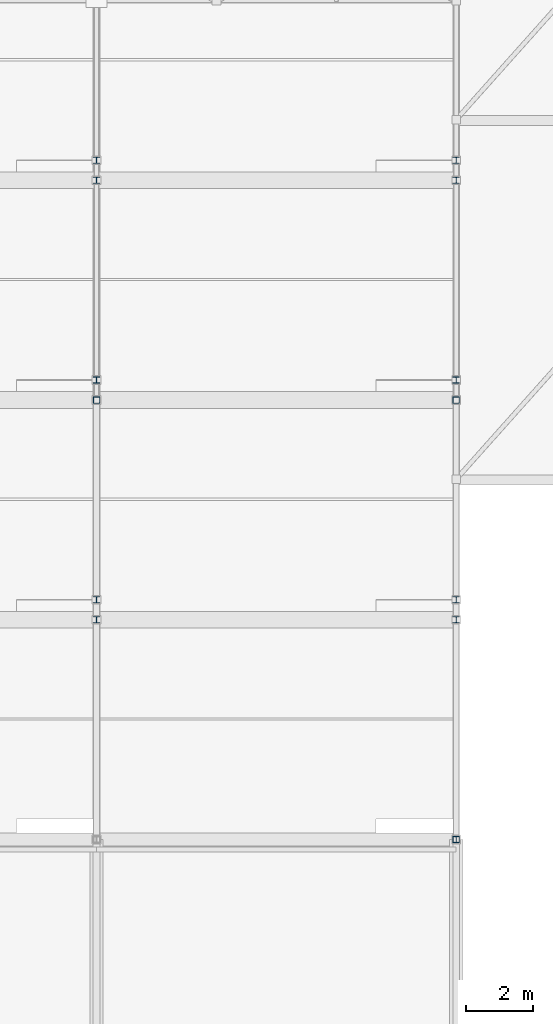
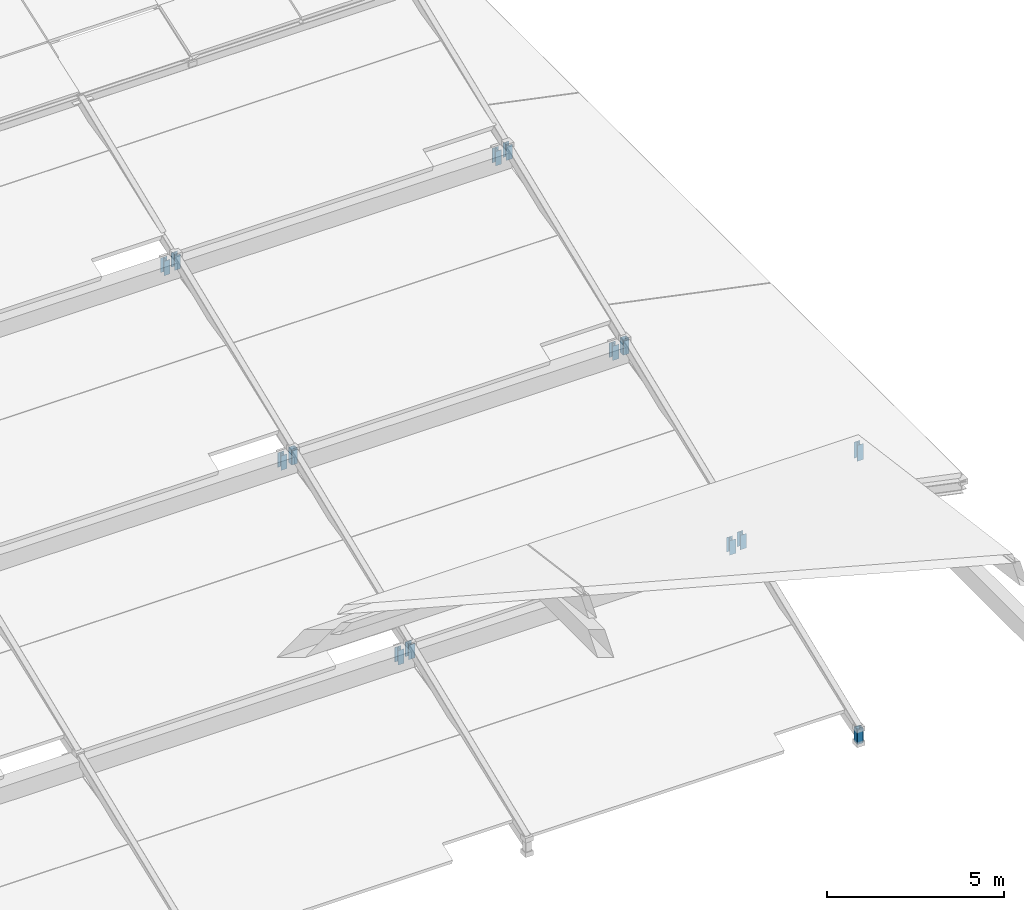
# One storey, part 89 of 112: 14 members.
"""IFC4 building model written with IfcOpenShell, lengths in metres."""

from ifc_helpers import new_model, si_unit, direction, frame, origin, origin_2d, place, context, subcontext, project, spatial, hollow_rectangle, i_section, extrude, material, material_profile, profile_set, type_object, element, save


model = new_model("IFC4")

# Units and contexts
model_context = context("Model", 3, precision=1e-05, world=origin(), true_north=direction((0.0, 1.0)))
body_context = subcontext(model_context, "Body", "Model", "MODEL_VIEW")
ifc_project = project(units=[si_unit("LENGTHUNIT", "METRE"), si_unit("AREAUNIT", "SQUARE_METRE"), si_unit("VOLUMEUNIT", "CUBIC_METRE"), si_unit("PLANEANGLEUNIT", "RADIAN"), si_unit("MASSUNIT", "GRAM", prefix="KILO")], contexts=[model_context])

# Site, building, storey
site_placement = place(None, origin())
site = spatial("IfcSite", under=ifc_project, at=site_placement, CompositionType="ELEMENT")
building_placement = place(site_placement, origin())
building = spatial("IfcBuilding", under=site, at=building_placement, Name="Zwinboog Wholesale Market", CompositionType="ELEMENT")
storey_placement = place(building_placement, frame((0.0, 0.0, 19.080078125)))
storey = spatial("IfcBuildingStorey", under=building, at=storey_placement, Name="Roof", CompositionType="ELEMENT", Elevation=19.080078125)

# Members
ifc_material = material(Name="Steel S355", Category="steel")
ifc_material_profile_1 = material_profile(ifc_material, hollow_rectangle(XDim=0.199951171875, YDim=0.199951171875, WallThickness=0.010009765625, InnerFilletRadius=0.010009765625, OuterFilletRadius=0.02001953125, at=origin_2d()), Name="SHS 200x200x10")
ifc_profile_set_1 = profile_set([ifc_material_profile_1], Name="Steel S355")
member_type_1 = type_object("IfcMemberType", Name="MT-04", PredefinedType="BRACE", material=ifc_profile_set_1)
for number, where, z_axis, x_axis, name in (
    (1, (162.0, 56.39990234375, -4.630126953125), (0.0, 0.0, 1.0), (1.0, 0.0, 0.0), "DB-01 (MEM-Roof-0278)"),
    (2, (172.800048828125, 43.199951171875, -10.030029296875), (0.0, 0.0, 1.0), (1.0, 0.0, 0.0), "DB-01 (MEM-Roof-0302)"),
    (3, (172.800048828125, 56.39990234375, -4.630126953125), (0.0, 0.0, 1.0), (1.0, 0.0, 0.0), "DB-01 (MEM-Roof-0308)"),
):
    element("IfcMember", number, at=place(storey_placement, frame(where, z_axis=z_axis, x_axis=x_axis)), inside=storey, type_object=member_type_1, Name=name, PredefinedType="BRACE", context=body_context, shape_type="SweptSolid", body=[
        extrude(hollow_rectangle(XDim=0.199951171875, YDim=0.199951171875, WallThickness=0.010009765625, InnerFilletRadius=0.010009765625, OuterFilletRadius=0.02001953125, at=origin_2d()), origin(), (0.0, 0.0, 1.0), 0.5),
    ])
ifc_material_profile_2 = material_profile(ifc_material, i_section(OverallWidth=0.199951171875, OverallDepth=0.18994140625, WebThickness=0.006591796875, FlangeThickness=0.010009765625, FilletRadius=0.01806640625, at=origin_2d()), Name="HEA 200")
ifc_profile_set_2 = profile_set([ifc_material_profile_2], Name="Steel S355")
member_type_2 = type_object("IfcMemberType", Name="MT-05", PredefinedType="BRACE", material=ifc_profile_set_2)
for number, where, z_axis, x_axis, name in (
    (4, (162.0, 50.39990234375, -7.880126953125), (0.0, 0.0, 1.0), (1.0, 0.0, 0.0), "DB-02 (MEM-Roof-0273)"),
    (5, (162.0, 49.800048828125, -7.330078125), (0.0, 0.0, 1.0), (1.0, 0.0, 0.0), "DB-02 (MEM-Roof-0275)"),
    (6, (162.0, 57.0, -5.18017578125), (0.0, 0.0, 1.0), (1.0, 0.0, 0.0), "DB-02 (MEM-Roof-0276)"),
    (7, (162.0, 63.60009765625, -2.47998046875), (0.0, 0.0, 1.0), (1.0, 0.0, 0.0), "DB-02 (MEM-Roof-0279)"),
    (8, (162.0, 63.0, -1.93017578125), (0.0, 0.0, 1.0), (1.0, 0.0, 0.0), "DB-02 (MEM-Roof-0281)"),
    (9, (172.800048828125, 50.39990234375, -7.880126953125), (0.0, 0.0, 1.0), (1.0, 0.0, 0.0), "DB-02 (MEM-Roof-0303)"),
    (10, (172.800048828125, 49.800048828125, -7.330078125), (0.0, 0.0, 1.0), (1.0, 0.0, 0.0), "DB-02 (MEM-Roof-0305)"),
    (11, (172.800048828125, 57.0, -5.18017578125), (0.0, 0.0, 1.0), (1.0, 0.0, 0.0), "DB-02 (MEM-Roof-0306)"),
    (12, (172.800048828125, 63.60009765625, -2.47998046875), (0.0, 0.0, 1.0), (1.0, 0.0, 0.0), "DB-02 (MEM-Roof-0309)"),
    (13, (172.800048828125, 63.0, -1.93017578125), (0.0, 0.0, 1.0), (1.0, 0.0, 0.0), "DB-02 (MEM-Roof-0311)"),
):
    element("IfcMember", number, at=place(storey_placement, frame(where, z_axis=z_axis, x_axis=x_axis)), inside=storey, type_object=member_type_2, Name=name, PredefinedType="BRACE", context=body_context, shape_type="SweptSolid", body=[
        extrude(i_section(OverallWidth=0.199951171875, OverallDepth=0.18994140625, WebThickness=0.006591796875, FlangeThickness=0.010009765625, FilletRadius=0.01806640625, at=origin_2d()), origin(), (0.0, 0.0, 1.0), 0.5),
    ])
member_placement = place(storey_placement, frame((172.800048828125, 43.199951171875, -0.280029296875), z_axis=(0.0, 0.0, 1.0), x_axis=(1.0, 0.0, 0.0)))
element("IfcMember", 14, at=member_placement, inside=storey, type_object=member_type_2, Name="DB-02 (MEM-Roof-0937)", PredefinedType="BRACE", context=body_context, shape_type="SweptSolid", body=[
    extrude(i_section(OverallWidth=0.199951171875, OverallDepth=0.18994140625, WebThickness=0.006591796875, FlangeThickness=0.010009765625, FilletRadius=0.01806640625, at=origin_2d()), origin(), (0.0, 0.0, 1.0), 0.550048828125),
])

save(model, "model.ifc")
